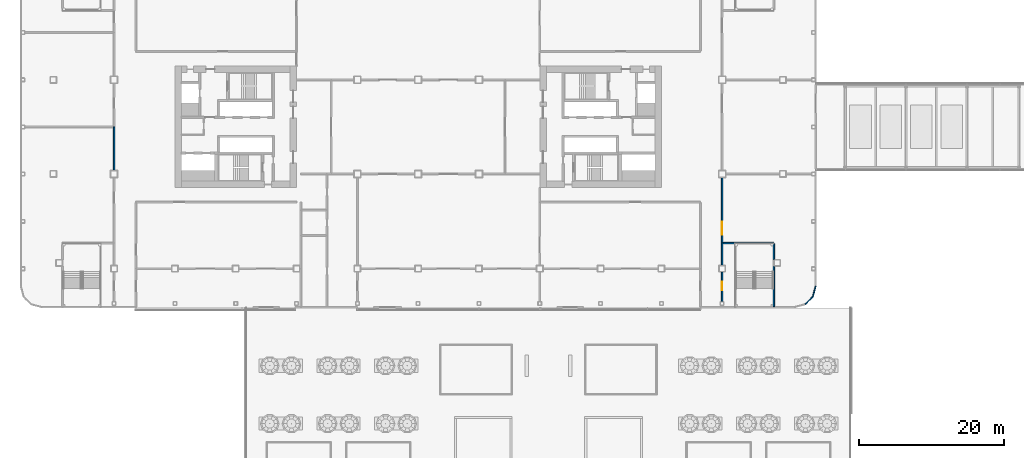
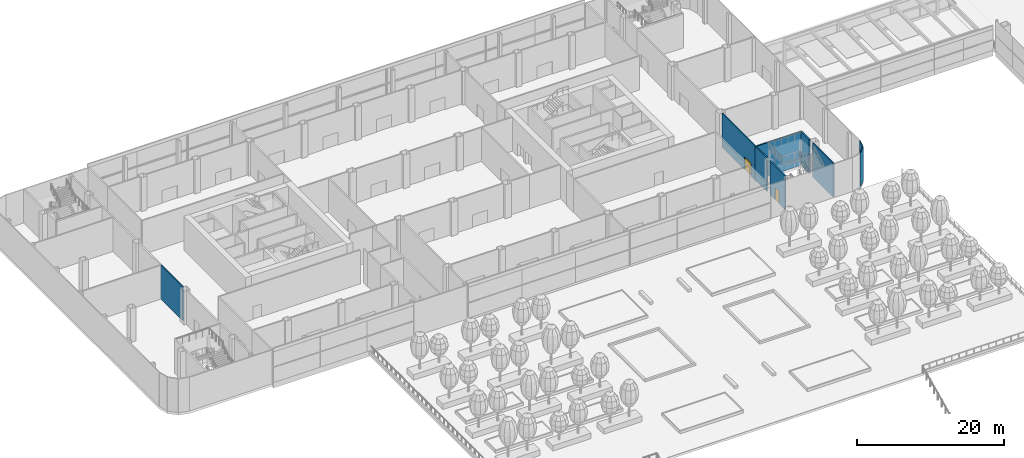
# One storey, part 32 of 100: 9 walls, 2 doors, 2 openings.
"""IFC4 building model written with IfcOpenShell, lengths in metres."""

from ifc_helpers import new_model, si_unit, direction, frame, frame_2d, origin, place, context, subcontext, project, spatial, rectangle, extrude, material, layer, layer_set, type_object, element, fill, save


model = new_model("IFC4")

# Units and contexts
model_context = context("Model", 3, precision=1e-05, world=origin(), true_north=direction((0.0, 1.0)))
body_context = subcontext(model_context, "Body", "Model", "MODEL_VIEW")
ifc_project = project(units=[si_unit("LENGTHUNIT", "METRE"), si_unit("AREAUNIT", "SQUARE_METRE"), si_unit("VOLUMEUNIT", "CUBIC_METRE"), si_unit("PLANEANGLEUNIT", "RADIAN"), si_unit("MASSUNIT", "GRAM", prefix="KILO")], contexts=[model_context])

# Site, building, storey
site_placement = place(None, origin())
site = spatial("IfcSite", under=ifc_project, at=site_placement, CompositionType="ELEMENT")
building_placement = place(site_placement, origin())
building = spatial("IfcBuilding", under=site, at=building_placement, Name="Hakoniwa Tower and Hamabe Station Hall", CompositionType="ELEMENT")
storey_placement = place(building_placement, frame((0.0, 0.0, 9.0)))
storey = spatial("IfcBuildingStorey", under=building, at=storey_placement, Name="L02", CompositionType="ELEMENT", Elevation=9.0)

# Walls
ifc_material_1 = material(Name="Dark glass-faced aluminium panel", Category="aluminium")
ifc_layer_1 = layer(ifc_material_1, 0.14990234375)
ifc_layer_set_1 = layer_set([ifc_layer_1], Name="EXTERNAL WALL 150 EI 60")
wall_type_1 = type_object("IfcWallType", Name="EXTERNAL WALL 150 EI 60", PredefinedType="STANDARD", material=ifc_layer_set_1)
wall_1_placement = place(storey_placement, frame((54.92236328125, -21.999755859375, 0.0), z_axis=(0.0, 0.0, 1.0), x_axis=(-0.258741535379, -0.965946591624, 0.0)))
element("IfcWall", 1, at=wall_1_placement, inside=storey, type_object=wall_type_1, Name="External wall L02 1-1", PredefinedType="STANDARD", context=body_context, shape_type="SweptSolid", body=[
    extrude(rectangle(XDim=1.49267578125, YDim=0.14990234375, at=frame_2d((0.746337890625, 0.0))), origin(), (0.0, 0.0, 1.0), 5.60009765625),
])
wall_2_placement = place(storey_placement, frame((54.5166015625, -23.475341796875, 0.0), z_axis=(0.0, 0.0, 1.0), x_axis=(-0.707106781187, -0.707106781187, 0.0)))
element("IfcWall", 2, at=wall_2_placement, inside=storey, type_object=wall_type_1, Name="External wall L02 2-1", PredefinedType="STANDARD", context=body_context, shape_type="SweptSolid", body=[
    extrude(rectangle(XDim=1.47265625, YDim=0.14990234375, at=frame_2d((0.736328125, 0.0))), origin(), (0.0, 0.0, 1.0), 5.60009765625),
])

# Wall, opening, door
ifc_material_2 = material(Name="Fire-rated gypsum board partition")
ifc_layer_2 = layer(ifc_material_2, 0.199951171875)
ifc_layer_set_2 = layer_set([ifc_layer_2], Name="FIRE PARTITION 200 EI 60")
wall_type_2 = type_object("IfcWallType", Name="FIRE PARTITION 200 EI 60", PredefinedType="PARTITIONING", material=ifc_layer_set_2)
wall_3_placement = place(storey_placement, frame((42.0, -7.0, 0.0), z_axis=(0.0, 0.0, 1.0), x_axis=(0.0, -1.0, 0.0)))
wall_3 = element("IfcWall", 3, at=wall_3_placement, inside=storey, type_object=wall_type_2, Name="Wall East Gallery / Wine Bar", PredefinedType="PARTITIONING", context=body_context, shape_type="SweptSolid", body=[
    extrude(rectangle(XDim=9.050048828125, YDim=0.199951171875, at=frame_2d((4.52490234375, 0.0))), origin(), (0.0, 0.0, 1.0), 5.60009765625),
])
opening_1_placement = place(wall_3_placement, frame((6.10009765625, 0.0, 0.0)))
opening_1 = element("IfcOpeningElement", 4, at=opening_1_placement, cuts=wall_3, Name="Opening PD-L02-049", PredefinedType="OPENING", context=body_context, shape_type="SweptSolid", body=[
    extrude(rectangle(XDim=1.800048828125, YDim=2.10009765625, at=frame_2d((0.89990234375, 1.050048828125))), frame((0.0, 0.10986328125, 0.0), z_axis=(0.0, -1.0, 0.0), x_axis=(1.0, 0.0, 0.0)), (0.0, 0.0, 1.0), 0.219970703125),
])
ifc_material_3 = material(Name="Steel fire door", Category="steel")
door_type_1 = type_object("IfcDoorType", Name="FIRE DOUBLE DOOR 1800X2100 FD60", OperationType="DOUBLE_DOOR_SINGLE_SWING", PredefinedType="DOOR", material=ifc_material_3)
door_1_placement = place(opening_1_placement, origin())
door_1 = element("IfcDoor", 5, at=door_1_placement, inside=storey, type_object=door_type_1, Name="Door PD-L02-049", OperationType="DOUBLE_DOOR_SINGLE_SWING", OverallHeight=2.10009765625, OverallWidth=1.800048828125, PredefinedType="DOOR", context=body_context, shape_type="SweptSolid", body=[
    extrude(rectangle(XDim=1.800048828125, YDim=2.10009765625, at=frame_2d((0.89990234375, 1.050048828125))), frame((0.0, 0.02490234375, 0.0), z_axis=(0.0, -1.0, 0.0), x_axis=(1.0, 0.0, 0.0)), (0.0, 0.0, 1.0), 0.050048828125),
])
fill(opening_1, door_1)

# Walls
wall_4_placement = place(storey_placement, frame((-42.0, -6.0, 0.0), z_axis=(0.0, 0.0, 1.0), x_axis=(0.0, 1.0, 0.0)))
element("IfcWall", 6, at=wall_4_placement, inside=storey, type_object=wall_type_2, Name="Wall West Service Corridor / Restaurant Kitchen", PredefinedType="PARTITIONING", context=body_context, shape_type="SweptSolid", body=[
    extrude(rectangle(XDim=6.0, YDim=0.199951171875, at=frame_2d((3.0, 0.0))), origin(), (0.0, 0.0, 1.0), 5.60009765625),
])
ifc_material_4 = material(Name="Concrete C40", Category="concrete")
ifc_layer_3 = layer(ifc_material_4, 0.199951171875)
ifc_layer_set_3 = layer_set([ifc_layer_3], Name="RC WALL 200 EI 60 C40")
wall_type_3 = type_object("IfcWallType", Name="RC WALL 200 EI 60 C40", PredefinedType="SHEAR", material=ifc_layer_set_3)
wall_5_placement = place(storey_placement, frame((42.10009765625, -16.050048828125, 0.0), z_axis=(0.0, 0.0, 1.0), x_axis=(1.0, 0.0, 0.0)))
element("IfcWall", 7, at=wall_5_placement, inside=storey, type_object=wall_type_3, Name="Wall Escape Stair PS3 / Wine Bar", PredefinedType="SHEAR", context=body_context, shape_type="SweptSolid", body=[
    extrude(rectangle(XDim=7.0498046875, YDim=0.199951171875, at=frame_2d((3.52490234375, 0.0))), origin(), (0.0, 0.0, 1.0), 5.60009765625),
])
wall_6_placement = place(storey_placement, frame((49.14990234375, -16.14990234375, 0.0), z_axis=(0.0, 0.0, 1.0), x_axis=(0.0, -1.0, 0.0)))
element("IfcWall", 8, at=wall_6_placement, inside=storey, type_object=wall_type_3, Name="Wall Escape Stair PS3 / Wine Bar", PredefinedType="SHEAR", context=body_context, shape_type="SweptSolid", body=[
    extrude(rectangle(XDim=2.203125, YDim=0.199951171875, at=frame_2d((1.1015625, 0.0))), origin(), (0.0, 0.0, 1.0), 5.60009765625),
])
wall_7_placement = place(storey_placement, frame((49.14990234375, -19.253173828125, 0.0), z_axis=(0.0, 0.0, 1.0), x_axis=(0.0, -1.0, 0.0)))
element("IfcWall", 9, at=wall_7_placement, inside=storey, type_object=wall_type_3, Name="Wall Escape Stair PS3 / Wine Bar", PredefinedType="SHEAR", context=body_context, shape_type="SweptSolid", body=[
    extrude(rectangle(XDim=5.596923828125, YDim=0.199951171875, at=frame_2d((2.79833984375, 0.0))), origin(), (0.0, 0.0, 1.0), 5.60009765625),
])

# Wall, opening, door
wall_8_placement = place(storey_placement, frame((42.0, -24.14990234375, 0.0), z_axis=(0.0, 0.0, 1.0), x_axis=(0.0, 1.0, 0.0)))
wall_8 = element("IfcWall", 10, at=wall_8_placement, inside=storey, type_object=wall_type_3, Name="Wall Escape Stair PS3 / East Gallery", PredefinedType="SHEAR", context=body_context, shape_type="SweptSolid", body=[
    extrude(rectangle(XDim=4.099853515625, YDim=0.199951171875, at=frame_2d((2.0498046875, 0.0))), origin(), (0.0, 0.0, 1.0), 5.60009765625),
])
opening_2_placement = place(wall_8_placement, frame((1.550048828125, 0.0, 0.0)))
opening_2 = element("IfcOpeningElement", 11, at=opening_2_placement, cuts=wall_8, Name="Opening PD-L02-038", PredefinedType="OPENING", context=body_context, shape_type="SweptSolid", body=[
    extrude(rectangle(XDim=1.199951171875, YDim=2.10009765625, at=frame_2d((0.60009765625, 1.050048828125))), frame((0.0, 0.10986328125, 0.0), z_axis=(0.0, -1.0, 0.0), x_axis=(1.0, 0.0, 0.0)), (0.0, 0.0, 1.0), 0.219970703125),
])
ifc_material_5 = material(Name="Steel fire door", Category="steel")
door_type_2 = type_object("IfcDoorType", Name="FIRE DOOR 1200X2100 FD60", OperationType="SINGLE_SWING_LEFT", PredefinedType="DOOR", material=ifc_material_5)
door_2_placement = place(opening_2_placement, origin())
door_2 = element("IfcDoor", 12, at=door_2_placement, inside=storey, type_object=door_type_2, Name="Escape stair door PS3", OperationType="SINGLE_SWING_LEFT", OverallHeight=2.10009765625, OverallWidth=1.199951171875, PredefinedType="DOOR", context=body_context, shape_type="SweptSolid", body=[
    extrude(rectangle(XDim=1.199951171875, YDim=2.10009765625, at=frame_2d((0.60009765625, 1.050048828125))), frame((0.0, 0.02490234375, 0.0), z_axis=(0.0, -1.0, 0.0), x_axis=(1.0, 0.0, 0.0)), (0.0, 0.0, 1.0), 0.050048828125),
])
fill(opening_2, door_2)

# Wall
wall_9_placement = place(storey_placement, frame((42.0, -19.14990234375, 0.0), z_axis=(0.0, 0.0, 1.0), x_axis=(0.0, 1.0, 0.0)))
element("IfcWall", 13, at=wall_9_placement, inside=storey, type_object=wall_type_3, Name="Wall Escape Stair PS3 / East Gallery", PredefinedType="SHEAR", context=body_context, shape_type="SweptSolid", body=[
    extrude(rectangle(XDim=3.099853515625, YDim=0.199951171875, at=frame_2d((1.5498046875, 0.0))), origin(), (0.0, 0.0, 1.0), 5.60009765625),
])

save(model, "model.ifc")
